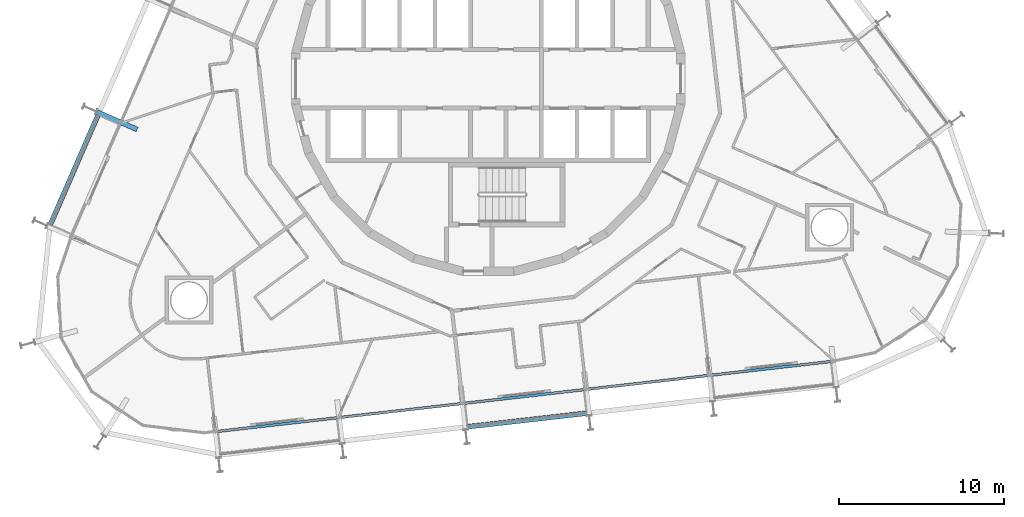
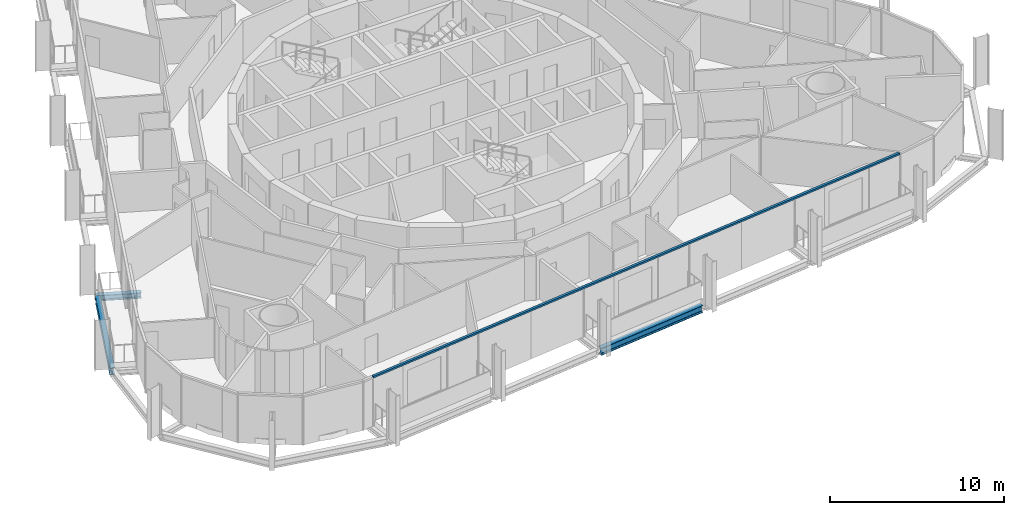
# One storey, part 4 of 22: 3 beams, 1 member, 1 element without a shape of its own.
"""IFC4 building model written with IfcOpenShell, lengths in metres."""

from ifc_helpers import new_model, si_unit, direction, frame, origin, origin_2d, place, context, subcontext, project, spatial, rectangle, i_section, extrude, material, layer, layer_set, material_profile, profile_set, type_object, element, aggregate, save


model = new_model("IFC4")

# Units and contexts
model_context = context("Model", 3, precision=1e-05, world=origin(), true_north=direction((0.0, 1.0)))
body_context = subcontext(model_context, "Body", "Model", "MODEL_VIEW")
ifc_project = project(units=[si_unit("LENGTHUNIT", "METRE"), si_unit("AREAUNIT", "SQUARE_METRE"), si_unit("VOLUMEUNIT", "CUBIC_METRE"), si_unit("PLANEANGLEUNIT", "RADIAN"), si_unit("MASSUNIT", "GRAM", prefix="KILO")], contexts=[model_context])

# Site, building, storey
site_placement = place(None, origin())
site = spatial("IfcSite", under=ifc_project, at=site_placement, CompositionType="ELEMENT")
building_placement = place(site_placement, origin())
building = spatial("IfcBuilding", under=site, at=building_placement, Name="Spindle Arch Residences", CompositionType="ELEMENT")
storey_placement = place(building_placement, frame((0.0, 0.0, 80.199951171875)))
storey = spatial("IfcBuildingStorey", under=building, at=storey_placement, Name="L18", CompositionType="ELEMENT", Elevation=80.199951171875)

# Curtain wall, member
ifc_material_1 = material(Name="Aluminium bronze unitised frame with tinted glass", Category="aluminium")
ifc_layer = layer(ifc_material_1, 0.159912109375)
ifc_layer_set = layer_set([ifc_layer], Name="CW-C typical residential unitised wall")
curtain_wall_type = type_object("IfcCurtainWallType", Name="CW-C typical residential unitised wall", PredefinedType="NOTDEFINED", material=ifc_layer_set)
curtain_wall_placement = place(storey_placement, origin())
curtain_wall = element("IfcCurtainWall", 1, at=curtain_wall_placement, inside=storey, type_object=curtain_wall_type, Name="CW-C L18 run 6", PredefinedType="NOTDEFINED")
ifc_material_2 = material(Name="Aluminium bronze anodised transom", Category="aluminium")
ifc_material_profile_1 = material_profile(ifc_material_2, rectangle(XDim=0.159912109375, YDim=0.1201171875, at=origin_2d()), Name="TR 120x160")
ifc_profile_set_1 = profile_set([ifc_material_profile_1], Name="Aluminium bronze anodised transom")
member_type = type_object("IfcMemberType", Name="Bronze transom 120x160", PredefinedType="USERDEFINED", material=ifc_profile_set_1)
member_placement = place(storey_placement, frame((-16.457275390625, -21.337646484375, 3.06005859375), z_axis=(0.993571693336, 0.1132046386, 0.0), x_axis=(-0.1132046386, 0.993571693336, 0.0)))
member = element("IfcMember", 2, at=member_placement, type_object=member_type, Name="CW-C transom 00", ObjectType="TRANSOM", PredefinedType="USERDEFINED", context=body_context, shape_type="SweptSolid", body=[
    extrude(rectangle(XDim=0.159912109375, YDim=0.1201171875, at=origin_2d()), origin(), (0.0, 0.0, 1.0), 37.533935546875),
])
aggregate(curtain_wall, [member])

# Beams
ifc_material_3 = material(Name="Steel S460ML, intumescent coating R 120", Category="steel")
ifc_material_profile_2 = material_profile(ifc_material_3, i_section(OverallWidth=0.300048828125, OverallDepth=0.5, WebThickness=0.014404296875, FlangeThickness=0.028076171875, FilletRadius=0.027099609375, at=origin_2d()), Name="HEB 500")
ifc_profile_set_2 = profile_set([ifc_material_profile_2], Name="Steel S460ML, intumescent coating R 120")
beam_type_1 = type_object("IfcBeamType", Name="Exoskeleton edge beam HEB 500", PredefinedType="BEAM", material=ifc_profile_set_2)
beam_1_placement = place(storey_placement, frame((-23.5966796875, -2.1796875, -0.6298828125), z_axis=(-0.398760546857, -0.917055083553, 0.0), x_axis=(0.917055083553, -0.398760546857, 0.0)))
element("IfcBeam", 3, at=beam_1_placement, inside=storey, type_object=beam_type_1, Name="Exoskeleton edge beam 18", PredefinedType="BEAM", context=body_context, shape_type="SweptSolid", body=[
    extrude(i_section(OverallWidth=0.300048828125, OverallDepth=0.5, WebThickness=0.014404296875, FlangeThickness=0.028076171875, FilletRadius=0.027099609375, at=origin_2d()), origin(), (0.0, 0.0, 1.0), 7.2587890625),
])
beam_2_placement = place(storey_placement, frame((-1.2548828125, -21.0478515625, -0.6298828125), z_axis=(0.993575205863, 0.113173805691, 0.0), x_axis=(-0.113173805691, 0.993575205863, 0.0)))
element("IfcBeam", 4, at=beam_2_placement, inside=storey, type_object=beam_type_1, Name="Exoskeleton edge beam 24", PredefinedType="BEAM", context=body_context, shape_type="SweptSolid", body=[
    extrude(i_section(OverallWidth=0.300048828125, OverallDepth=0.5, WebThickness=0.014404296875, FlangeThickness=0.028076171875, FilletRadius=0.027099609375, at=origin_2d()), origin(), (0.0, 0.0, 1.0), 7.259033203125),
])
ifc_material_4 = material(Name="Steel S460ML, intumescent coating R 120", Category="steel")
ifc_material_profile_3 = material_profile(ifc_material_4, i_section(OverallWidth=0.300048828125, OverallDepth=0.389892578125, WebThickness=0.010986328125, FlangeThickness=0.01904296875, FilletRadius=0.027099609375, at=origin_2d()), Name="HEA 400")
ifc_profile_set_3 = profile_set([ifc_material_profile_3], Name="Steel S460ML, intumescent coating R 120")
beam_type_2 = type_object("IfcBeamType", Name="Floor outrigger HEA 400", PredefinedType="BEAM", material=ifc_profile_set_3)
beam_3_placement = place(storey_placement, frame((-23.670654296875, -2.005859375, -0.574951171875), z_axis=(0.917064197317, -0.398739586698, 0.0), x_axis=(0.398739586698, 0.917064197317, 0.0)))
element("IfcBeam", 5, at=beam_3_placement, inside=storey, type_object=beam_type_2, Name="Floor outrigger 18", PredefinedType="BEAM", context=body_context, shape_type="SweptSolid", body=[
    extrude(i_section(OverallWidth=0.300048828125, OverallDepth=0.389892578125, WebThickness=0.010986328125, FlangeThickness=0.01904296875, FilletRadius=0.027099609375, at=origin_2d()), origin(), (0.0, 0.0, 1.0), 2.64990234375),
])

save(model, "model.ifc")
